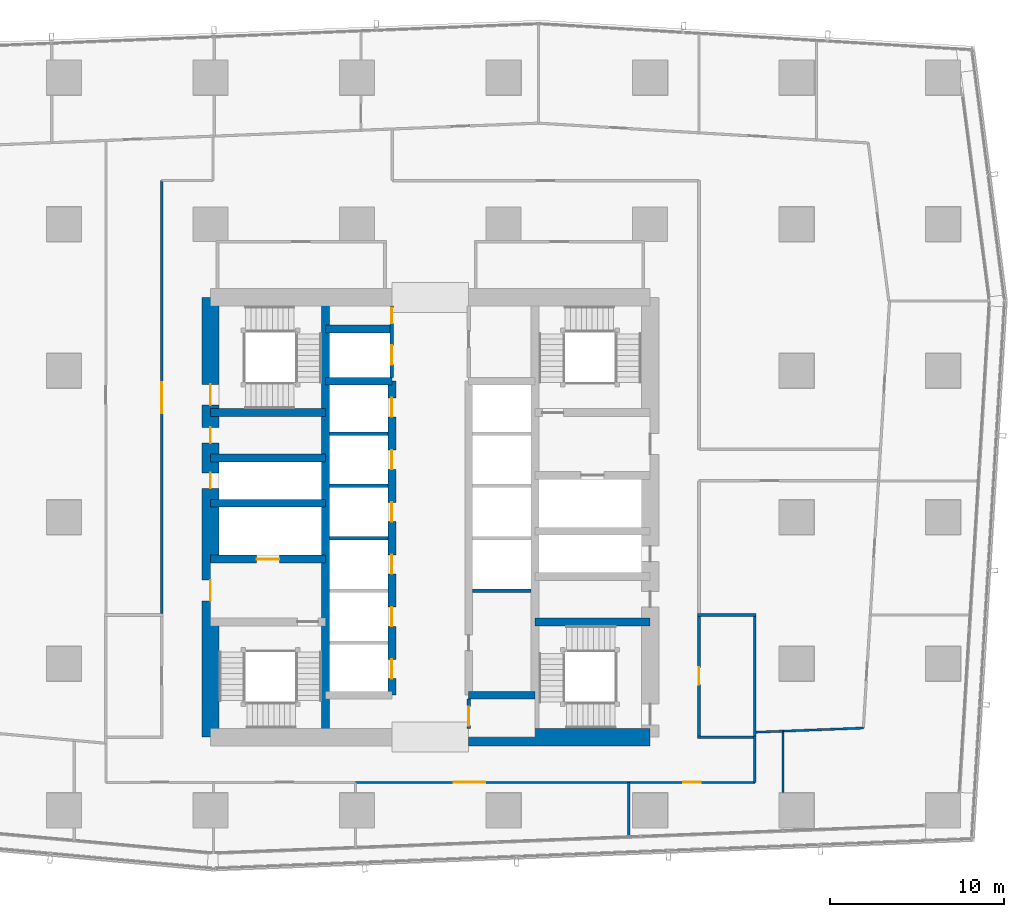
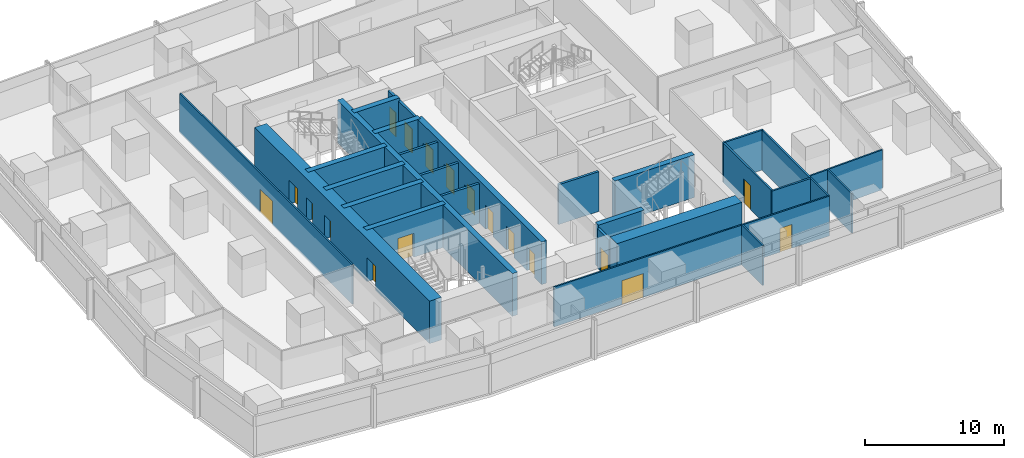
# One storey, part 29 of 39: 30 walls, 18 doors, 18 openings.
"""IFC4 building model written with IfcOpenShell, lengths in metres."""

from ifc_helpers import new_model, si_unit, direction, frame, frame_2d, origin, place, context, subcontext, project, spatial, rectangle, extrude, material, layer, layer_set, type_object, element, fill, save


model = new_model("IFC4")

# Units and contexts
model_context = context("Model", 3, precision=1e-05, world=origin(), true_north=direction((0.0, 1.0)))
body_context = subcontext(model_context, "Body", "Model", "MODEL_VIEW")
ifc_project = project(units=[si_unit("LENGTHUNIT", "METRE"), si_unit("AREAUNIT", "SQUARE_METRE"), si_unit("VOLUMEUNIT", "CUBIC_METRE"), si_unit("PLANEANGLEUNIT", "RADIAN"), si_unit("MASSUNIT", "GRAM", prefix="KILO")], contexts=[model_context])

# Site, building, storey
site_placement = place(None, origin())
site = spatial("IfcSite", under=ifc_project, at=site_placement, CompositionType="ELEMENT")
building_placement = place(site_placement, origin())
building = spatial("IfcBuilding", under=site, at=building_placement, Name="Rekha Terrace Tower", CompositionType="ELEMENT")
storey_placement = place(building_placement, frame((0.0, 0.0, 147.800048828125)))
storey = spatial("IfcBuildingStorey", under=building, at=storey_placement, Name="L37", CompositionType="ELEMENT", Elevation=147.800048828125)

# Wall
ifc_material_1 = material(Name="Concrete M70", Category="concrete")
ifc_layer_1 = layer(ifc_material_1, 0.449951171875)
ifc_layer_set_1 = layer_set([ifc_layer_1], Name="Concrete M70")
wall_type_1 = type_object("IfcWallType", Name="CI2 450 core internal shear wall", PredefinedType="SHEAR", material=ifc_layer_set_1)
wall_1_placement = place(storey_placement, frame((31.800048828125, 21.0, 0.0), z_axis=(0.0, 0.0, 1.0), x_axis=(0.0, 1.0, 0.0)))
element("IfcWall", 1, at=wall_1_placement, inside=storey, type_object=wall_type_1, Name="Core wall X318 L37", PredefinedType="SHEAR", context=body_context, shape_type="SweptSolid", body=[
    extrude(rectangle(XDim=25.199951171875, YDim=0.449951171875, at=frame_2d((12.60009765625, 0.0))), origin(), (0.0, 0.0, 1.0), 3.75),
])

# Wall, openings, doors
wall_2_placement = place(storey_placement, frame((35.60009765625, 23.39990234375, 0.0), z_axis=(0.0, 0.0, 1.0), x_axis=(0.0, 1.0, 0.0)))
wall_2 = element("IfcWall", 2, at=wall_2_placement, inside=storey, type_object=wall_type_1, Name="Core wall X356 L37", PredefinedType="SHEAR", context=body_context, shape_type="SweptSolid", body=[
    extrude(rectangle(XDim=18.0, YDim=0.449951171875, at=frame_2d((9.0, 0.0))), origin(), (0.0, 0.0, 1.0), 3.75),
])
opening_1_placement = place(wall_2_placement, frame((0.949951171875, 0.0, 0.0)))
opening_1 = element("IfcOpeningElement", 3, at=opening_1_placement, cuts=wall_2, Name="Opening LD1", PredefinedType="OPENING", context=body_context, shape_type="SweptSolid", body=[
    extrude(rectangle(XDim=1.10009765625, YDim=2.10009765625, at=frame_2d((0.550048828125, 1.050048828125))), frame((0.0, 0.23486328125, 0.0), z_axis=(0.0, -1.0, 0.0), x_axis=(1.0, 0.0, 0.0)), (0.0, 0.0, 1.0), 0.469970703125),
])
opening_2_placement = place(wall_2_placement, frame((3.949951171875, 0.0, 0.0)))
opening_2 = element("IfcOpeningElement", 4, at=opening_2_placement, cuts=wall_2, Name="Opening LD1", PredefinedType="OPENING", context=body_context, shape_type="SweptSolid", body=[
    extrude(rectangle(XDim=1.10009765625, YDim=2.10009765625, at=frame_2d((0.550048828125, 1.050048828125))), frame((0.0, 0.23486328125, 0.0), z_axis=(0.0, -1.0, 0.0), x_axis=(1.0, 0.0, 0.0)), (0.0, 0.0, 1.0), 0.469970703125),
])
opening_3_placement = place(wall_2_placement, frame((6.949951171875, 0.0, 0.0)))
opening_3 = element("IfcOpeningElement", 5, at=opening_3_placement, cuts=wall_2, Name="Opening LD1", PredefinedType="OPENING", context=body_context, shape_type="SweptSolid", body=[
    extrude(rectangle(XDim=1.10009765625, YDim=2.10009765625, at=frame_2d((0.550048828125, 1.050048828125))), frame((0.0, 0.23486328125, 0.0), z_axis=(0.0, -1.0, 0.0), x_axis=(1.0, 0.0, 0.0)), (0.0, 0.0, 1.0), 0.469970703125),
])
opening_4_placement = place(wall_2_placement, frame((9.949951171875, 0.0, 0.0)))
opening_4 = element("IfcOpeningElement", 6, at=opening_4_placement, cuts=wall_2, Name="Opening LD1", PredefinedType="OPENING", context=body_context, shape_type="SweptSolid", body=[
    extrude(rectangle(XDim=1.10009765625, YDim=2.10009765625, at=frame_2d((0.550048828125, 1.050048828125))), frame((0.0, 0.23486328125, 0.0), z_axis=(0.0, -1.0, 0.0), x_axis=(1.0, 0.0, 0.0)), (0.0, 0.0, 1.0), 0.469970703125),
])
opening_5_placement = place(wall_2_placement, frame((12.949951171875, 0.0, 0.0)))
opening_5 = element("IfcOpeningElement", 7, at=opening_5_placement, cuts=wall_2, Name="Opening LD1", PredefinedType="OPENING", context=body_context, shape_type="SweptSolid", body=[
    extrude(rectangle(XDim=1.10009765625, YDim=2.10009765625, at=frame_2d((0.550048828125, 1.050048828125))), frame((0.0, 0.23486328125, 0.0), z_axis=(0.0, -1.0, 0.0), x_axis=(1.0, 0.0, 0.0)), (0.0, 0.0, 1.0), 0.469970703125),
])
opening_6_placement = place(wall_2_placement, frame((15.949951171875, 0.0, 0.0)))
opening_6 = element("IfcOpeningElement", 8, at=opening_6_placement, cuts=wall_2, Name="Opening LD1", PredefinedType="OPENING", context=body_context, shape_type="SweptSolid", body=[
    extrude(rectangle(XDim=1.10009765625, YDim=2.10009765625, at=frame_2d((0.550048828125, 1.050048828125))), frame((0.0, 0.23486328125, 0.0), z_axis=(0.0, -1.0, 0.0), x_axis=(1.0, 0.0, 0.0)), (0.0, 0.0, 1.0), 0.469970703125),
])
ifc_material_2 = material(Name="Stainless steel sliding landing door", Category="steel")
door_type_1 = type_object("IfcDoorType", Name="LD1 1100x2100 lift landing door", OperationType="SLIDING_TO_LEFT", PredefinedType="USERDEFINED", material=ifc_material_2)
door_1_placement = place(opening_1_placement, origin())
door_1 = element("IfcDoor", 9, at=door_1_placement, inside=storey, type_object=door_type_1, Name="Lift B1 landing door L37", ObjectType="LIFT LANDING DOOR", OperationType="SLIDING_TO_LEFT", OverallHeight=2.10009765625, OverallWidth=1.10009765625, PredefinedType="USERDEFINED", context=body_context, shape_type="SweptSolid", body=[
    extrude(rectangle(XDim=1.10009765625, YDim=2.10009765625, at=frame_2d((0.550048828125, 1.050048828125))), frame((0.0, 0.02490234375, 0.0), z_axis=(0.0, -1.0, 0.0), x_axis=(1.0, 0.0, 0.0)), (0.0, 0.0, 1.0), 0.050048828125),
])
fill(opening_1, door_1)
door_2_placement = place(opening_2_placement, origin())
door_2 = element("IfcDoor", 10, at=door_2_placement, inside=storey, type_object=door_type_1, Name="Lift B2 landing door L37", ObjectType="LIFT LANDING DOOR", OperationType="SLIDING_TO_LEFT", OverallHeight=2.10009765625, OverallWidth=1.10009765625, PredefinedType="USERDEFINED", context=body_context, shape_type="SweptSolid", body=[
    extrude(rectangle(XDim=1.10009765625, YDim=2.10009765625, at=frame_2d((0.550048828125, 1.050048828125))), frame((0.0, 0.02490234375, 0.0), z_axis=(0.0, -1.0, 0.0), x_axis=(1.0, 0.0, 0.0)), (0.0, 0.0, 1.0), 0.050048828125),
])
fill(opening_2, door_2)
door_3_placement = place(opening_3_placement, origin())
door_3 = element("IfcDoor", 11, at=door_3_placement, inside=storey, type_object=door_type_1, Name="Lift B3 landing door L37", ObjectType="LIFT LANDING DOOR", OperationType="SLIDING_TO_LEFT", OverallHeight=2.10009765625, OverallWidth=1.10009765625, PredefinedType="USERDEFINED", context=body_context, shape_type="SweptSolid", body=[
    extrude(rectangle(XDim=1.10009765625, YDim=2.10009765625, at=frame_2d((0.550048828125, 1.050048828125))), frame((0.0, 0.02490234375, 0.0), z_axis=(0.0, -1.0, 0.0), x_axis=(1.0, 0.0, 0.0)), (0.0, 0.0, 1.0), 0.050048828125),
])
fill(opening_3, door_3)
door_4_placement = place(opening_4_placement, origin())
door_4 = element("IfcDoor", 12, at=door_4_placement, inside=storey, type_object=door_type_1, Name="Lift B4 landing door L37", ObjectType="LIFT LANDING DOOR", OperationType="SLIDING_TO_LEFT", OverallHeight=2.10009765625, OverallWidth=1.10009765625, PredefinedType="USERDEFINED", context=body_context, shape_type="SweptSolid", body=[
    extrude(rectangle(XDim=1.10009765625, YDim=2.10009765625, at=frame_2d((0.550048828125, 1.050048828125))), frame((0.0, 0.02490234375, 0.0), z_axis=(0.0, -1.0, 0.0), x_axis=(1.0, 0.0, 0.0)), (0.0, 0.0, 1.0), 0.050048828125),
])
fill(opening_4, door_4)
door_5_placement = place(opening_5_placement, origin())
door_5 = element("IfcDoor", 13, at=door_5_placement, inside=storey, type_object=door_type_1, Name="Lift B5 landing door L37", ObjectType="LIFT LANDING DOOR", OperationType="SLIDING_TO_LEFT", OverallHeight=2.10009765625, OverallWidth=1.10009765625, PredefinedType="USERDEFINED", context=body_context, shape_type="SweptSolid", body=[
    extrude(rectangle(XDim=1.10009765625, YDim=2.10009765625, at=frame_2d((0.550048828125, 1.050048828125))), frame((0.0, 0.02490234375, 0.0), z_axis=(0.0, -1.0, 0.0), x_axis=(1.0, 0.0, 0.0)), (0.0, 0.0, 1.0), 0.050048828125),
])
fill(opening_5, door_5)
door_6_placement = place(opening_6_placement, origin())
door_6 = element("IfcDoor", 14, at=door_6_placement, inside=storey, type_object=door_type_1, Name="Lift B6 landing door L37", ObjectType="LIFT LANDING DOOR", OperationType="SLIDING_TO_LEFT", OverallHeight=2.10009765625, OverallWidth=1.10009765625, PredefinedType="USERDEFINED", context=body_context, shape_type="SweptSolid", body=[
    extrude(rectangle(XDim=1.10009765625, YDim=2.10009765625, at=frame_2d((0.550048828125, 1.050048828125))), frame((0.0, 0.02490234375, 0.0), z_axis=(0.0, -1.0, 0.0), x_axis=(1.0, 0.0, 0.0)), (0.0, 0.0, 1.0), 0.050048828125),
])
fill(opening_6, door_6)

# Walls
for number, where, z_axis, x_axis, name in (
    (15, (31.800048828125, 41.39990234375, 0.0), (0.0, 0.0, 1.0), (1.0, 0.0, 0.0), "Core wall Y414W L37"),
    (16, (31.800048828125, 44.39990234375, 0.0), (0.0, 0.0, 1.0), (1.0, 0.0, 0.0), "Core wall Y444W L37"),
    (17, (40.0, 23.39990234375, 0.0), (0.0, 0.0, 1.0), (1.0, 0.0, 0.0), "Core wall Y234E L37"),
):
    element("IfcWall", number, at=place(storey_placement, frame(where, z_axis=z_axis, x_axis=x_axis)), inside=storey, type_object=wall_type_1, Name=name, PredefinedType="SHEAR", context=body_context, shape_type="SweptSolid", body=[
        extrude(rectangle(XDim=3.800048828125, YDim=0.449951171875, at=frame_2d((1.89990234375, 0.0))), origin(), (0.0, 0.0, 1.0), 3.75),
    ])

# Wall, opening, door
wall_3_placement = place(storey_placement, frame((25.199951171875, 31.199951171875, 0.0), z_axis=(0.0, 0.0, 1.0), x_axis=(1.0, 0.0, 0.0)))
wall_3 = element("IfcWall", 18, at=wall_3_placement, inside=storey, type_object=wall_type_1, Name="Core wall Y312W L37", PredefinedType="SHEAR", context=body_context, shape_type="SweptSolid", body=[
    extrude(rectangle(XDim=6.60009765625, YDim=0.449951171875, at=frame_2d((3.300048828125, 0.0))), origin(), (0.0, 0.0, 1.0), 3.75),
])
opening_7_placement = place(wall_3_placement, frame((2.64990234375, 0.0, 0.0)))
opening_7 = element("IfcOpeningElement", 19, at=opening_7_placement, cuts=wall_3, Name="Opening LD2", PredefinedType="OPENING", context=body_context, shape_type="SweptSolid", body=[
    extrude(rectangle(XDim=1.300048828125, YDim=2.10009765625, at=frame_2d((0.64990234375, 1.050048828125))), frame((0.0, 0.23486328125, 0.0), z_axis=(0.0, -1.0, 0.0), x_axis=(1.0, 0.0, 0.0)), (0.0, 0.0, 1.0), 0.469970703125),
])
door_type_2 = type_object("IfcDoorType", Name="LD2 1300x2100 fire lift landing door", OperationType="SLIDING_TO_LEFT", PredefinedType="USERDEFINED", material=ifc_material_2)
door_7_placement = place(opening_7_placement, origin())
door_7 = element("IfcDoor", 20, at=door_7_placement, inside=storey, type_object=door_type_2, Name="Lift FL1 landing door L37", ObjectType="LIFT LANDING DOOR", OperationType="SLIDING_TO_LEFT", OverallHeight=2.10009765625, OverallWidth=1.300048828125, PredefinedType="USERDEFINED", context=body_context, shape_type="SweptSolid", body=[
    extrude(rectangle(XDim=1.300048828125, YDim=2.10009765625, at=frame_2d((0.64990234375, 1.050048828125))), frame((0.0, 0.02490234375, 0.0), z_axis=(0.0, -1.0, 0.0), x_axis=(1.0, 0.0, 0.0)), (0.0, 0.0, 1.0), 0.050048828125),
])
fill(opening_7, door_7)

# Walls
for number, where, z_axis, x_axis, name in (
    (21, (25.199951171875, 34.39990234375, 0.0), (0.0, 0.0, 1.0), (1.0, 0.0, 0.0), "Core wall Y344W L37"),
    (22, (25.199951171875, 37.0, 0.0), (0.0, 0.0, 1.0), (1.0, 0.0, 0.0), "Core wall Y370W L37"),
    (23, (25.199951171875, 39.60009765625, 0.0), (0.0, 0.0, 1.0), (1.0, 0.0, 0.0), "Core wall Y396W L37"),
):
    element("IfcWall", number, at=place(storey_placement, frame(where, z_axis=z_axis, x_axis=x_axis)), inside=storey, type_object=wall_type_1, Name=name, PredefinedType="SHEAR", context=body_context, shape_type="SweptSolid", body=[
        extrude(rectangle(XDim=6.60009765625, YDim=0.449951171875, at=frame_2d((3.300048828125, 0.0))), origin(), (0.0, 0.0, 1.0), 3.75),
    ])
wall_4_placement = place(storey_placement, frame((43.800048828125, 27.60009765625, 0.0), z_axis=(0.0, 0.0, 1.0), x_axis=(1.0, 0.0, 0.0)))
element("IfcWall", 24, at=wall_4_placement, inside=storey, type_object=wall_type_1, Name="Core wall Y276E L37", PredefinedType="SHEAR", context=body_context, shape_type="SweptSolid", body=[
    extrude(rectangle(XDim=6.599853515625, YDim=0.449951171875, at=frame_2d((3.2998046875, 0.0))), origin(), (0.0, 0.0, 1.0), 3.75),
])
ifc_layer_2 = layer(ifc_material_1, 1.0)
ifc_layer_set_2 = layer_set([ifc_layer_2], Name="Concrete M70")
wall_type_2 = type_object("IfcWallType", Name="SW2 1000 core outer shear wall", PredefinedType="SHEAR", material=ifc_layer_set_2)
wall_5_placement = place(storey_placement, frame((40.0, 21.0, 0.0), z_axis=(0.0, 0.0, 1.0), x_axis=(1.0, 0.0, 0.0)))
element("IfcWall", 25, at=wall_5_placement, inside=storey, type_object=wall_type_2, Name="Core wall S2 L37", PredefinedType="SHEAR", context=body_context, shape_type="SweptSolid", body=[
    extrude(rectangle(XDim=10.39990234375, YDim=1.0, at=frame_2d((5.199951171875, 0.0))), origin(), (0.0, 0.0, 1.0), 3.75),
])

# Wall, openings, doors
wall_6_placement = place(storey_placement, frame((25.199951171875, 21.0, 0.0), z_axis=(0.0, 0.0, 1.0), x_axis=(0.0, 1.0, 0.0)))
wall_6 = element("IfcWall", 26, at=wall_6_placement, inside=storey, type_object=wall_type_2, Name="Core wall W L37", PredefinedType="SHEAR", context=body_context, shape_type="SweptSolid", body=[
    extrude(rectangle(XDim=25.199951171875, YDim=1.0, at=frame_2d((12.60009765625, 0.0))), origin(), (0.0, 0.0, 1.0), 3.75),
])
opening_8_placement = place(wall_6_placement, frame((7.800048828125, 0.0, 0.0)))
opening_8 = element("IfcOpeningElement", 27, at=opening_8_placement, cuts=wall_6, Name="Opening D2", PredefinedType="OPENING", context=body_context, shape_type="SweptSolid", body=[
    extrude(rectangle(XDim=1.199951171875, YDim=2.10009765625, at=frame_2d((0.60009765625, 1.050048828125))), frame((0.0, 0.510009765625, 0.0), z_axis=(0.0, -1.0, 0.0), x_axis=(1.0, 0.0, 0.0)), (0.0, 0.0, 1.0), 1.02001953125),
])
opening_9_placement = place(wall_6_placement, frame((14.25, 0.0, 0.0)))
opening_9 = element("IfcOpeningElement", 28, at=opening_9_placement, cuts=wall_6, Name="Opening D5", PredefinedType="OPENING", context=body_context, shape_type="SweptSolid", body=[
    extrude(rectangle(XDim=0.89990234375, YDim=2.10009765625, at=frame_2d((0.449951171875, 1.050048828125))), frame((0.0, 0.510009765625, 0.0), z_axis=(0.0, -1.0, 0.0), x_axis=(1.0, 0.0, 0.0)), (0.0, 0.0, 1.0), 1.02001953125),
])
opening_10_placement = place(wall_6_placement, frame((16.85009765625, 0.0, 0.0)))
opening_10 = element("IfcOpeningElement", 29, at=opening_10_placement, cuts=wall_6, Name="Opening D5", PredefinedType="OPENING", context=body_context, shape_type="SweptSolid", body=[
    extrude(rectangle(XDim=0.89990234375, YDim=2.10009765625, at=frame_2d((0.449951171875, 1.050048828125))), frame((0.0, 0.510009765625, 0.0), z_axis=(0.0, -1.0, 0.0), x_axis=(1.0, 0.0, 0.0)), (0.0, 0.0, 1.0), 1.02001953125),
])
opening_11_placement = place(wall_6_placement, frame((19.02490234375, 0.0, 0.0)))
opening_11 = element("IfcOpeningElement", 30, at=opening_11_placement, cuts=wall_6, Name="Opening D1", PredefinedType="OPENING", context=body_context, shape_type="SweptSolid", body=[
    extrude(rectangle(XDim=1.199951171875, YDim=2.10009765625, at=frame_2d((0.60009765625, 1.050048828125))), frame((0.0, 0.510009765625, 0.0), z_axis=(0.0, -1.0, 0.0), x_axis=(1.0, 0.0, 0.0)), (0.0, 0.0, 1.0), 1.02001953125),
])
ifc_material_3 = material(Name="Steel fire door", Category="steel")
door_type_3 = type_object("IfcDoorType", Name="D1 1200x2100 stair fire door", OperationType="SINGLE_SWING_RIGHT", PredefinedType="DOOR", material=ifc_material_3)
door_8_placement = place(opening_11_placement, origin())
door_8 = element("IfcDoor", 31, at=door_8_placement, inside=storey, type_object=door_type_3, Name="Stair ST4 door L37", OperationType="SINGLE_SWING_RIGHT", OverallHeight=2.10009765625, OverallWidth=1.199951171875, PredefinedType="DOOR", context=body_context, shape_type="SweptSolid", body=[
    extrude(rectangle(XDim=1.199951171875, YDim=2.10009765625, at=frame_2d((0.60009765625, 1.050048828125))), frame((0.0, 0.02490234375, 0.0), z_axis=(0.0, -1.0, 0.0), x_axis=(1.0, 0.0, 0.0)), (0.0, 0.0, 1.0), 0.050048828125),
])
fill(opening_11, door_8)
door_type_4 = type_object("IfcDoorType", Name="D2 1200x2100 firefighting lobby door", OperationType="SINGLE_SWING_LEFT", PredefinedType="DOOR", material=ifc_material_3)
door_9_placement = place(opening_8_placement, origin())
door_9 = element("IfcDoor", 32, at=door_9_placement, inside=storey, type_object=door_type_4, Name="Door flb1 L37", OperationType="SINGLE_SWING_LEFT", OverallHeight=2.10009765625, OverallWidth=1.199951171875, PredefinedType="DOOR", context=body_context, shape_type="SweptSolid", body=[
    extrude(rectangle(XDim=1.199951171875, YDim=2.10009765625, at=frame_2d((0.60009765625, 1.050048828125))), frame((0.0, 0.02490234375, 0.0), z_axis=(0.0, -1.0, 0.0), x_axis=(1.0, 0.0, 0.0)), (0.0, 0.0, 1.0), 0.050048828125),
])
fill(opening_8, door_9)
door_type_5 = type_object("IfcDoorType", Name="D5 900x2100 riser access door", OperationType="SINGLE_SWING_LEFT", PredefinedType="DOOR", material=ifc_material_3)
door_10_placement = place(opening_9_placement, origin())
door_10 = element("IfcDoor", 33, at=door_10_placement, inside=storey, type_object=door_type_5, Name="Door rs1 L37", OperationType="SINGLE_SWING_LEFT", OverallHeight=2.10009765625, OverallWidth=0.89990234375, PredefinedType="DOOR", context=body_context, shape_type="SweptSolid", body=[
    extrude(rectangle(XDim=0.89990234375, YDim=2.10009765625, at=frame_2d((0.449951171875, 1.050048828125))), frame((0.0, 0.02490234375, 0.0), z_axis=(0.0, -1.0, 0.0), x_axis=(1.0, 0.0, 0.0)), (0.0, 0.0, 1.0), 0.050048828125),
])
fill(opening_9, door_10)
door_11_placement = place(opening_10_placement, origin())
door_11 = element("IfcDoor", 34, at=door_11_placement, inside=storey, type_object=door_type_5, Name="Door elw L37", OperationType="SINGLE_SWING_LEFT", OverallHeight=2.10009765625, OverallWidth=0.89990234375, PredefinedType="DOOR", context=body_context, shape_type="SweptSolid", body=[
    extrude(rectangle(XDim=0.89990234375, YDim=2.10009765625, at=frame_2d((0.449951171875, 1.050048828125))), frame((0.0, 0.02490234375, 0.0), z_axis=(0.0, -1.0, 0.0), x_axis=(1.0, 0.0, 0.0)), (0.0, 0.0, 1.0), 0.050048828125),
])
fill(opening_10, door_11)

# Walls
ifc_material_4 = material(Name="Concrete block masonry, 1 hour", Category="masonry")
ifc_layer_3 = layer(ifc_material_4, 0.14990234375)
ifc_layer_set_3 = layer_set([ifc_layer_3], Name="Concrete block masonry, 1 hour")
wall_type_3 = type_object("IfcWallType", Name="WP2 150 tenancy partition", PredefinedType="PARTITIONING", material=ifc_layer_set_3)
for number, where, z_axis, x_axis, name in (
    (35, (53.125, 21.0, 0.0), (0.0, 0.0, 1.0), (1.0, 0.0, 0.0), "Men's WC wall L37"),
    (36, (53.125, 28.0, 0.0), (0.0, 0.0, 1.0), (1.0, 0.0, 0.0), "Men's WC wall L37"),
):
    element("IfcWall", number, at=place(storey_placement, frame(where, z_axis=z_axis, x_axis=x_axis)), inside=storey, type_object=wall_type_3, Name=name, PredefinedType="PARTITIONING", context=body_context, shape_type="SweptSolid", body=[
        extrude(rectangle(XDim=3.35009765625, YDim=0.14990234375, at=frame_2d((1.675048828125, 0.0))), origin(), (0.0, 0.0, 1.0), 3.5),
    ])

# Wall, opening, door
wall_7_placement = place(storey_placement, frame((53.199951171875, 21.074951171875, 0.0), z_axis=(0.0, 0.0, 1.0), x_axis=(0.0, 1.0, 0.0)))
wall_7 = element("IfcWall", 37, at=wall_7_placement, inside=storey, type_object=wall_type_3, Name="Men's WC wall L37", PredefinedType="PARTITIONING", context=body_context, shape_type="SweptSolid", body=[
    extrude(rectangle(XDim=6.85009765625, YDim=0.14990234375, at=frame_2d((3.425048828125, 0.0))), origin(), (0.0, 0.0, 1.0), 3.5),
])
opening_12_placement = place(wall_7_placement, frame((2.925048828125, 0.0, 0.0)))
opening_12 = element("IfcOpeningElement", 38, at=opening_12_placement, cuts=wall_7, Name="Opening D3", PredefinedType="OPENING", context=body_context, shape_type="SweptSolid", body=[
    extrude(rectangle(XDim=1.0, YDim=2.10009765625, at=frame_2d((0.5, 1.050048828125))), frame((0.0, 0.0849609375, 0.0), z_axis=(0.0, -1.0, 0.0), x_axis=(1.0, 0.0, 0.0)), (0.0, 0.0, 1.0), 0.169921875),
])
ifc_material_5 = material(Name="Laminated timber fire door", Category="wood")
door_type_6 = type_object("IfcDoorType", Name="D3 1000x2100 WC door", OperationType="SINGLE_SWING_LEFT", PredefinedType="DOOR", material=ifc_material_5)
door_12_placement = place(opening_12_placement, origin())
door_12 = element("IfcDoor", 39, at=door_12_placement, inside=storey, type_object=door_type_6, Name="Door men's wc L37", OperationType="SINGLE_SWING_LEFT", OverallHeight=2.10009765625, OverallWidth=1.0, PredefinedType="DOOR", context=body_context, shape_type="SweptSolid", body=[
    extrude(rectangle(XDim=1.0, YDim=2.10009765625, at=frame_2d((0.5, 1.050048828125))), frame((0.0, 0.02490234375, 0.0), z_axis=(0.0, -1.0, 0.0), x_axis=(1.0, 0.0, 0.0)), (0.0, 0.0, 1.0), 0.050048828125),
])
fill(opening_12, door_12)

# Walls
wall_8_placement = place(storey_placement, frame((56.39990234375, 21.074951171875, 0.0), z_axis=(0.0, 0.0, 1.0), x_axis=(0.0, 1.0, 0.0)))
element("IfcWall", 40, at=wall_8_placement, inside=storey, type_object=wall_type_3, Name="Men's WC wall L37", PredefinedType="PARTITIONING", context=body_context, shape_type="SweptSolid", body=[
    extrude(rectangle(XDim=6.85009765625, YDim=0.14990234375, at=frame_2d((3.425048828125, 0.0))), origin(), (0.0, 0.0, 1.0), 3.5),
])
ifc_material_6 = material(Name="Two layers of fire-rated gypsum board each side on steel studs, acoustic quilt, 1 hour", Category="steel")
ifc_layer_4 = layer(ifc_material_6, 0.125)
ifc_layer_set_4 = layer_set([ifc_layer_4], Name="Two layers of fire-rated gypsum board each side on steel studs, acoustic quilt, 1 hour")
wall_type_4 = type_object("IfcWallType", Name="WP3 125 office partition", PredefinedType="PARTITIONING", material=ifc_layer_set_4)
wall_9_placement = place(storey_placement, frame((56.47509765625, 21.278076171875, 0.0), z_axis=(0.0, 0.0, 1.0), x_axis=(0.999266096652, 0.038304935469, 0.0)))
element("IfcWall", 41, at=wall_9_placement, inside=storey, type_object=wall_type_4, Name="Partition L37-02", PredefinedType="PARTITIONING", context=body_context, shape_type="SweptSolid", body=[
    extrude(rectangle(XDim=1.5361328125, YDim=0.125, at=frame_2d((0.76806640625, 0.0))), origin(), (0.0, 0.0, 1.0), 3.5),
])
wall_10_placement = place(storey_placement, frame((58.010009765625, 21.3369140625, 0.0), z_axis=(0.0, 0.0, 1.0), x_axis=(0.0, -1.0, 0.0)))
element("IfcWall", 42, at=wall_10_placement, inside=storey, type_object=wall_type_4, Name="Partition L37-02", PredefinedType="PARTITIONING", context=body_context, shape_type="SweptSolid", body=[
    extrude(rectangle(XDim=3.516845703125, YDim=0.125, at=frame_2d((1.75830078125, 0.0))), origin(), (0.0, 0.0, 1.0), 3.5),
])
wall_11_placement = place(storey_placement, frame((49.179931640625, 15.339111328125, 0.0), z_axis=(0.0, 0.0, 1.0), x_axis=(0.0, 1.0, 0.0)))
element("IfcWall", 43, at=wall_11_placement, inside=storey, type_object=wall_type_4, Name="Partition L37-02", PredefinedType="PARTITIONING", context=body_context, shape_type="SweptSolid", body=[
    extrude(rectangle(XDim=3.060791015625, YDim=0.125, at=frame_2d((1.5302734375, 0.0))), origin(), (0.0, 0.0, 1.0), 3.5),
])

# Wall, opening, door
wall_12_placement = place(storey_placement, frame((49.179931640625, 18.39990234375, 0.0), z_axis=(0.0, 0.0, 1.0), x_axis=(1.0, 0.0, 0.0)))
wall_12 = element("IfcWall", 44, at=wall_12_placement, inside=storey, type_object=wall_type_4, Name="Partition L37-02", PredefinedType="PARTITIONING", context=body_context, shape_type="SweptSolid", body=[
    extrude(rectangle(XDim=7.219970703125, YDim=0.125, at=frame_2d((3.60986328125, 0.0))), origin(), (0.0, 0.0, 1.0), 3.5),
])
opening_13_placement = place(wall_12_placement, frame((3.110107421875, 0.0, 0.0)))
opening_13 = element("IfcOpeningElement", 45, at=opening_13_placement, cuts=wall_12, Name="Opening D9", PredefinedType="OPENING", context=body_context, shape_type="SweptSolid", body=[
    extrude(rectangle(XDim=1.0, YDim=2.10009765625, at=frame_2d((0.5, 1.050048828125))), frame((0.0, 0.072509765625, 0.0), z_axis=(0.0, -1.0, 0.0), x_axis=(1.0, 0.0, 0.0)), (0.0, 0.0, 1.0), 0.14501953125),
])
ifc_material_7 = material(Name="Timber fire door", Category="wood")
door_type_7 = type_object("IfcDoorType", Name="D9 1000x2100 office door", OperationType="SINGLE_SWING_LEFT", PredefinedType="DOOR", material=ifc_material_7)
door_13_placement = place(opening_13_placement, origin())
door_13 = element("IfcDoor", 46, at=door_13_placement, inside=storey, type_object=door_type_7, Name="Door meeting room L37", OperationType="SINGLE_SWING_LEFT", OverallHeight=2.10009765625, OverallWidth=1.0, PredefinedType="DOOR", context=body_context, shape_type="SweptSolid", body=[
    extrude(rectangle(XDim=1.0, YDim=2.10009765625, at=frame_2d((0.5, 1.050048828125))), frame((0.0, 0.02490234375, 0.0), z_axis=(0.0, -1.0, 0.0), x_axis=(1.0, 0.0, 0.0)), (0.0, 0.0, 1.0), 0.050048828125),
])
fill(opening_13, door_13)

# Walls
wall_13_placement = place(storey_placement, frame((56.39990234375, 18.39990234375, 0.0), z_axis=(0.0, 0.0, 1.0), x_axis=(0.0, 1.0, 0.0)))
element("IfcWall", 47, at=wall_13_placement, inside=storey, type_object=wall_type_4, Name="Partition L37-02", PredefinedType="PARTITIONING", context=body_context, shape_type="SweptSolid", body=[
    extrude(rectangle(XDim=2.674072265625, YDim=0.125, at=frame_2d((1.3369140625, 0.0))), origin(), (0.0, 0.0, 1.0), 3.5),
])
wall_14_placement = place(storey_placement, frame((58.010986328125, 21.337890625, 0.0), z_axis=(0.0, 0.0, 1.0), x_axis=(0.999247292376, 0.038792379151, 0.0)))
element("IfcWall", 48, at=wall_14_placement, inside=storey, type_object=wall_type_4, Name="Partition L37-03", PredefinedType="PARTITIONING", context=body_context, shape_type="SweptSolid", body=[
    extrude(rectangle(XDim=4.619384765625, YDim=0.125, at=frame_2d((2.3095703125, 0.0))), origin(), (0.0, 0.0, 1.0), 3.5),
])

# Wall, opening, door
wall_15_placement = place(storey_placement, frame((22.39990234375, 52.89990234375, 0.0), z_axis=(0.0, 0.0, 1.0), x_axis=(0.0, -1.0, 0.0)))
wall_15 = element("IfcWall", 49, at=wall_15_placement, inside=storey, type_object=wall_type_4, Name="Partition L37-19", PredefinedType="PARTITIONING", context=body_context, shape_type="SweptSolid", body=[
    extrude(rectangle(XDim=24.824951171875, YDim=0.125, at=frame_2d((12.41259765625, 0.0))), origin(), (0.0, 0.0, 1.0), 3.5),
])
opening_14_placement = place(wall_15_placement, frame((11.550048828125, 0.0, 0.0)))
opening_14 = element("IfcOpeningElement", 50, at=opening_14_placement, cuts=wall_15, Name="Opening D8", PredefinedType="OPENING", context=body_context, shape_type="SweptSolid", body=[
    extrude(rectangle(XDim=1.800048828125, YDim=2.10009765625, at=frame_2d((0.89990234375, 1.050048828125))), frame((0.0, 0.072509765625, 0.0), z_axis=(0.0, -1.0, 0.0), x_axis=(1.0, 0.0, 0.0)), (0.0, 0.0, 1.0), 0.14501953125),
])
door_type_8 = type_object("IfcDoorType", Name="D8 1800x2100 double leaf door", OperationType="DOUBLE_DOOR_SINGLE_SWING", PredefinedType="DOOR", material=ifc_material_7)
door_14_placement = place(opening_14_placement, origin())
door_14 = element("IfcDoor", 51, at=door_14_placement, inside=storey, type_object=door_type_8, Name="Door reception L37", OperationType="DOUBLE_DOOR_SINGLE_SWING", OverallHeight=2.10009765625, OverallWidth=1.800048828125, PredefinedType="DOOR", context=body_context, shape_type="SweptSolid", body=[
    extrude(rectangle(XDim=1.800048828125, YDim=2.10009765625, at=frame_2d((0.89990234375, 1.050048828125))), frame((0.0, 0.02490234375, 0.0), z_axis=(0.0, -1.0, 0.0), x_axis=(1.0, 0.0, 0.0)), (0.0, 0.0, 1.0), 0.050048828125),
])
fill(opening_14, door_14)

wall_16_placement = place(storey_placement, frame((33.512939453125, 18.39990234375, 0.0), z_axis=(0.0, 0.0, 1.0), x_axis=(1.0, 0.0, 0.0)))
wall_16 = element("IfcWall", 52, at=wall_16_placement, inside=storey, type_object=wall_type_4, Name="Partition L37-20", PredefinedType="PARTITIONING", context=body_context, shape_type="SweptSolid", body=[
    extrude(rectangle(XDim=15.666015625, YDim=0.125, at=frame_2d((7.8330078125, 0.0))), origin(), (0.0, 0.0, 1.0), 3.5),
])
opening_15_placement = place(wall_16_placement, frame((5.633056640625, 0.0, 0.0)))
opening_15 = element("IfcOpeningElement", 53, at=opening_15_placement, cuts=wall_16, Name="Opening D8", PredefinedType="OPENING", context=body_context, shape_type="SweptSolid", body=[
    extrude(rectangle(XDim=1.800048828125, YDim=2.10009765625, at=frame_2d((0.89990234375, 1.050048828125))), frame((0.0, 0.072509765625, 0.0), z_axis=(0.0, -1.0, 0.0), x_axis=(1.0, 0.0, 0.0)), (0.0, 0.0, 1.0), 0.14501953125),
])
door_15_placement = place(opening_15_placement, origin())
door_15 = element("IfcDoor", 54, at=door_15_placement, inside=storey, type_object=door_type_8, Name="Door meeting room L37", OperationType="DOUBLE_DOOR_SINGLE_SWING", OverallHeight=2.10009765625, OverallWidth=1.800048828125, PredefinedType="DOOR", context=body_context, shape_type="SweptSolid", body=[
    extrude(rectangle(XDim=1.800048828125, YDim=2.10009765625, at=frame_2d((0.89990234375, 1.050048828125))), frame((0.0, 0.02490234375, 0.0), z_axis=(0.0, -1.0, 0.0), x_axis=(1.0, 0.0, 0.0)), (0.0, 0.0, 1.0), 0.050048828125),
])
fill(opening_15, door_15)

# Walls
ifc_material_8 = material(Name="Solid concrete block masonry, 2 hour", Category="masonry")
ifc_layer_5 = layer(ifc_material_8, 0.199951171875)
ifc_layer_set_5 = layer_set([ifc_layer_5], Name="Solid concrete block masonry, 2 hour")
wall_type_5 = type_object("IfcWallType", Name="WS1 200 stair and shaft enclosure", PredefinedType="PARTITIONING", material=ifc_layer_set_5)
for number, where, z_axis, x_axis, name in (
    (55, (32.02490234375, 32.39990234375, 0.0), (0.0, 0.0, 1.0), (1.0, 0.0, 0.0), "Lift shaft divider L37"),
    (56, (32.02490234375, 35.39990234375, 0.0), (0.0, 0.0, 1.0), (1.0, 0.0, 0.0), "Lift shaft divider L37"),
    (57, (32.02490234375, 38.39990234375, 0.0), (0.0, 0.0, 1.0), (1.0, 0.0, 0.0), "Lift shaft divider L37"),
):
    element("IfcWall", number, at=place(storey_placement, frame(where, z_axis=z_axis, x_axis=x_axis)), inside=storey, type_object=wall_type_5, Name=name, PredefinedType="PARTITIONING", context=body_context, shape_type="SweptSolid", body=[
        extrude(rectangle(XDim=3.35009765625, YDim=0.199951171875, at=frame_2d((1.675048828125, 0.0))), origin(), (0.0, 0.0, 1.0), 3.5),
    ])
wall_17_placement = place(storey_placement, frame((40.22509765625, 29.39990234375, 0.0), z_axis=(0.0, 0.0, 1.0), x_axis=(1.0, 0.0, 0.0)))
element("IfcWall", 58, at=wall_17_placement, inside=storey, type_object=wall_type_5, Name="Lift shaft divider L37", PredefinedType="PARTITIONING", context=body_context, shape_type="SweptSolid", body=[
    extrude(rectangle(XDim=3.349853515625, YDim=0.199951171875, at=frame_2d((1.6748046875, 0.0))), origin(), (0.0, 0.0, 1.0), 3.5),
])

# Wall, opening, door
wall_18_placement = place(storey_placement, frame((40.0, 21.5, 0.0), z_axis=(0.0, 0.0, 1.0), x_axis=(0.0, 1.0, 0.0)))
wall_18 = element("IfcWall", 59, at=wall_18_placement, inside=storey, type_object=wall_type_5, Name="Core partition wca L37", PredefinedType="PARTITIONING", context=body_context, shape_type="SweptSolid", body=[
    extrude(rectangle(XDim=1.675048828125, YDim=0.199951171875, at=frame_2d((0.83740234375, 0.0))), origin(), (0.0, 0.0, 1.0), 3.5),
])
opening_16_placement = place(wall_18_placement, frame((0.14990234375, 0.0, 0.0)))
opening_16 = element("IfcOpeningElement", 60, at=opening_16_placement, cuts=wall_18, Name="Opening D4", PredefinedType="OPENING", context=body_context, shape_type="SweptSolid", body=[
    extrude(rectangle(XDim=1.10009765625, YDim=2.10009765625, at=frame_2d((0.550048828125, 1.050048828125))), frame((0.0, 0.10986328125, 0.0), z_axis=(0.0, -1.0, 0.0), x_axis=(1.0, 0.0, 0.0)), (0.0, 0.0, 1.0), 0.219970703125),
])
door_type_9 = type_object("IfcDoorType", Name="D4 1100x2100 accessible WC door", OperationType="SLIDING_TO_LEFT", PredefinedType="DOOR", material=ifc_material_5)
door_16_placement = place(opening_16_placement, origin())
door_16 = element("IfcDoor", 61, at=door_16_placement, inside=storey, type_object=door_type_9, Name="Door wca L37", OperationType="SLIDING_TO_LEFT", OverallHeight=2.10009765625, OverallWidth=1.10009765625, PredefinedType="DOOR", context=body_context, shape_type="SweptSolid", body=[
    extrude(rectangle(XDim=1.10009765625, YDim=2.10009765625, at=frame_2d((0.550048828125, 1.050048828125))), frame((0.0, 0.02490234375, 0.0), z_axis=(0.0, -1.0, 0.0), x_axis=(1.0, 0.0, 0.0)), (0.0, 0.0, 1.0), 0.050048828125),
])
fill(opening_16, door_16)

# Wall, openings, doors
wall_19_placement = place(storey_placement, frame((35.60009765625, 41.625, 0.0), z_axis=(0.0, 0.0, 1.0), x_axis=(0.0, 1.0, 0.0)))
wall_19 = element("IfcWall", 62, at=wall_19_placement, inside=storey, type_object=wall_type_5, Name="Core partition jansv L37", PredefinedType="PARTITIONING", context=body_context, shape_type="SweptSolid", body=[
    extrude(rectangle(XDim=4.074951171875, YDim=0.199951171875, at=frame_2d((2.03759765625, 0.0))), origin(), (0.0, 0.0, 1.0), 3.5),
])
opening_17_placement = place(wall_19_placement, frame((3.087890625, 0.0, 0.0)))
opening_17 = element("IfcOpeningElement", 63, at=opening_17_placement, cuts=wall_19, Name="Opening D5", PredefinedType="OPENING", context=body_context, shape_type="SweptSolid", body=[
    extrude(rectangle(XDim=0.89990234375, YDim=2.10009765625, at=frame_2d((0.449951171875, 1.050048828125))), frame((0.0, 0.10986328125, 0.0), z_axis=(0.0, -1.0, 0.0), x_axis=(1.0, 0.0, 0.0)), (0.0, 0.0, 1.0), 0.219970703125),
])
opening_18_placement = place(wall_19_placement, frame((0.72509765625, 0.0, 0.0)))
opening_18 = element("IfcOpeningElement", 64, at=opening_18_placement, cuts=wall_19, Name="Opening LD1", PredefinedType="OPENING", context=body_context, shape_type="SweptSolid", body=[
    extrude(rectangle(XDim=1.10009765625, YDim=2.10009765625, at=frame_2d((0.550048828125, 1.050048828125))), frame((0.0, 0.10986328125, 0.0), z_axis=(0.0, -1.0, 0.0), x_axis=(1.0, 0.0, 0.0)), (0.0, 0.0, 1.0), 0.219970703125),
])
door_17_placement = place(opening_17_placement, origin())
door_17 = element("IfcDoor", 65, at=door_17_placement, inside=storey, type_object=door_type_5, Name="Door janitor room L37", OperationType="SINGLE_SWING_LEFT", OverallHeight=2.10009765625, OverallWidth=0.89990234375, PredefinedType="DOOR", context=body_context, shape_type="SweptSolid", body=[
    extrude(rectangle(XDim=0.89990234375, YDim=2.10009765625, at=frame_2d((0.449951171875, 1.050048828125))), frame((0.0, 0.02490234375, 0.0), z_axis=(0.0, -1.0, 0.0), x_axis=(1.0, 0.0, 0.0)), (0.0, 0.0, 1.0), 0.050048828125),
])
fill(opening_17, door_17)
door_18_placement = place(opening_18_placement, origin())
door_18 = element("IfcDoor", 66, at=door_18_placement, inside=storey, type_object=door_type_1, Name="Lift SV1 landing door L37", ObjectType="LIFT LANDING DOOR", OperationType="SLIDING_TO_LEFT", OverallHeight=2.10009765625, OverallWidth=1.10009765625, PredefinedType="USERDEFINED", context=body_context, shape_type="SweptSolid", body=[
    extrude(rectangle(XDim=1.10009765625, YDim=2.10009765625, at=frame_2d((0.550048828125, 1.050048828125))), frame((0.0, 0.02490234375, 0.0), z_axis=(0.0, -1.0, 0.0), x_axis=(1.0, 0.0, 0.0)), (0.0, 0.0, 1.0), 0.050048828125),
])
fill(opening_18, door_18)

save(model, "model.ifc")
